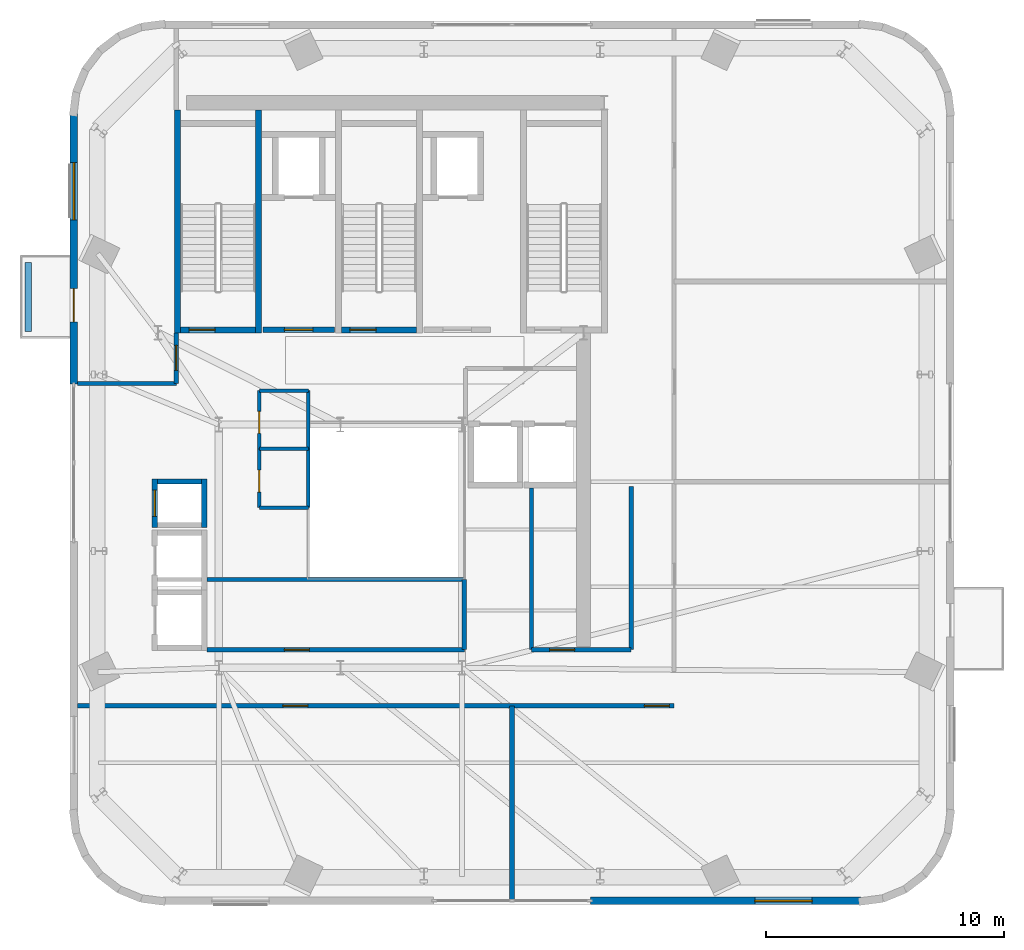
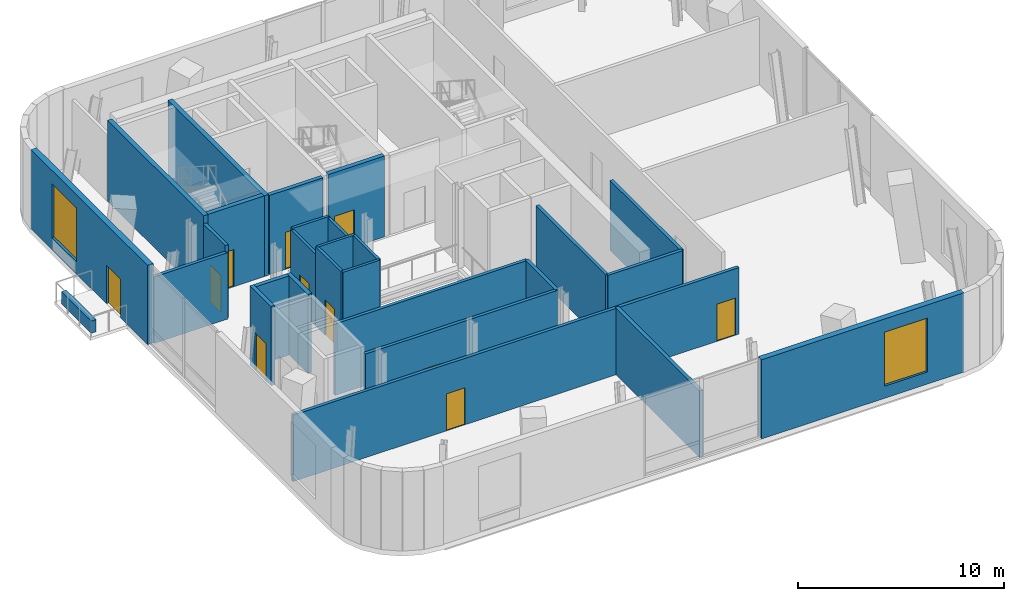
# One storey, part 6 of 10: 28 walls, 12 doors, 2 windows, 14 openings.
"""IFC4 building model written with IfcOpenShell, lengths in metres."""

from ifc_helpers import new_model, si_unit, direction, frame, frame_2d, origin, place, context, subcontext, project, spatial, rectangle, extrude, source, transform, mapped, material, layer, layer_set, type_object, element, fill, save


model = new_model("IFC4")

# Units and contexts
model_context = context("Model", 3, precision=1e-05, world=origin(), true_north=direction((0.0, 1.0)))
body_context = subcontext(model_context, "Body", "Model", "MODEL_VIEW")
ifc_project = project(units=[si_unit("LENGTHUNIT", "METRE"), si_unit("AREAUNIT", "SQUARE_METRE"), si_unit("VOLUMEUNIT", "CUBIC_METRE"), si_unit("PLANEANGLEUNIT", "RADIAN"), si_unit("MASSUNIT", "GRAM", prefix="KILO")], contexts=[model_context])

# Site, building, storey
site_placement = place(None, origin())
site = spatial("IfcSite", under=ifc_project, at=site_placement, CompositionType="ELEMENT")
building_placement = place(site_placement, origin())
building = spatial("IfcBuilding", under=site, at=building_placement, Name="Vardaveli Station Tower", CompositionType="ELEMENT")
storey_placement = place(building_placement, frame((0.0, 0.0, 291.14990234375)))
storey = spatial("IfcBuildingStorey", under=building, at=storey_placement, Name="L74", CompositionType="ELEMENT", Elevation=291.14990234375)

# Wall
ifc_material_1 = material(Name="Precast concrete C45/55", Category="concrete")
ifc_layer_1 = layer(ifc_material_1, 0.280029296875, Name="Precast concrete C45/55")
ifc_layer_set_1 = layer_set([ifc_layer_1], Name="Precast concrete C45/55")
wall_type_1 = type_object("IfcWallType", Name="WAL-PARAPET-280", PredefinedType="SOLIDWALL", material=ifc_layer_set_1)
shared_shape_1 = source(origin(), body_context, "Body", "SweptSolid", [
    extrude(rectangle(XDim=2.900146484375, YDim=0.280029296875, at=frame_2d((1.4501953125, 0.0))), origin(), (0.0, 0.0, 1.0), 0.72021484375),
])
wall_1_placement = place(storey_placement, frame((23.2099609375, 30.706298828125, 0.0), z_axis=(0.0, 0.0, 1.0), x_axis=(0.0, 1.0, 0.0)))
element("IfcWall", 1, at=wall_1_placement, inside=storey, type_object=wall_type_1, Name="Terrace Travertine Planter L74", PredefinedType="SOLIDWALL", context=body_context, shape_type="MappedRepresentation", body=[
    mapped(shared_shape_1, transform((0.0, 0.0, 0.0), scale=1.0)),
])

# Wall, opening, window
ifc_layer_2 = layer(ifc_material_1, 0.320068359375, Name="Precast concrete C45/55")
ifc_layer_set_2 = layer_set([ifc_layer_2], Name="Precast concrete C45/55")
wall_type_2 = type_object("IfcWallType", Name="WAL-EXT-STONE-320", PredefinedType="SOLIDWALL", material=ifc_layer_set_2)
shared_shape_2 = source(origin(), body_context, "Body", "SweptSolid", [
    extrude(rectangle(XDim=11.346923828125, YDim=0.320068359375, at=frame_2d((5.67333984375, 0.0))), origin(), (0.0, 0.0, 1.0), 4.7001953125),
])
wall_2_placement = place(storey_placement, frame((46.800048828125, 6.820068359375, 0.0), z_axis=(0.0, 0.0, 1.0), x_axis=(1.0, 0.0, 0.0)))
wall_2 = element("IfcWall", 2, at=wall_2_placement, inside=storey, type_object=wall_type_2, Name="EW-L74-S2", PredefinedType="SOLIDWALL", context=body_context, shape_type="MappedRepresentation", body=[
    mapped(shared_shape_2, transform((0.0, 0.0, 0.0), scale=1.0)),
])
shared_shape_3 = source(origin(), body_context, "Body", "SweptSolid", [
    extrude(rectangle(XDim=2.39990234375, YDim=3.199951171875, at=frame_2d((1.199951171875, 1.60009765625))), frame((0.0, 0.169921875, 0.0), z_axis=(0.0, -1.0, 0.0), x_axis=(1.0, 0.0, 0.0)), (0.0, 0.0, 1.0), 0.340087890625),
])
opening_1_placement = place(wall_2_placement, frame((6.892578125, 0.0, 0.719970703125)))
opening_1 = element("IfcOpeningElement", 3, at=opening_1_placement, cuts=wall_2, Name="Opening W-06", PredefinedType="OPENING", context=body_context, shape_type="MappedRepresentation", body=[
    mapped(shared_shape_3, transform((0.0, 0.0, 0.0), scale=1.0)),
])
ifc_material_2 = material(Name="Low-iron tempered belvedere glass", Category="glass")
window_type = type_object("IfcWindowType", Name="WIN-OBS-2400x3200", PartitioningType="SINGLE_PANEL", PredefinedType="WINDOW", material=ifc_material_2)
shared_shape_4 = source(origin(), body_context, "Body", "SweptSolid", [
    extrude(rectangle(XDim=2.39990234375, YDim=3.199951171875, at=frame_2d((1.199951171875, 1.60009765625))), frame((0.0, 0.030029296875, 0.0), z_axis=(0.0, -1.0, 0.0), x_axis=(1.0, 0.0, 0.0)), (0.0, 0.0, 1.0), 0.06005859375),
])
window_1_placement = place(opening_1_placement, origin())
window_1 = element("IfcWindow", 4, at=window_1_placement, inside=storey, type_object=window_type, Name="WN-L74-S2", OverallHeight=3.199951171875, OverallWidth=2.39990234375, PartitioningType="SINGLE_PANEL", PredefinedType="WINDOW", context=body_context, shape_type="MappedRepresentation", body=[
    mapped(shared_shape_4, transform((0.0, 0.0, 0.0), scale=1.0)),
])
fill(opening_1, window_1)

# Wall, openings, door, window
wall_3_placement = place(storey_placement, frame((25.1201171875, 39.846923828125, 0.0), z_axis=(0.0, 0.0, 1.0), x_axis=(0.0, -1.0, 0.0)))
wall_3 = element("IfcWall", 5, at=wall_3_placement, inside=storey, type_object=wall_type_2, Name="EW-L74-W1", PredefinedType="SOLIDWALL", context=body_context, shape_type="MappedRepresentation", body=[
    mapped(shared_shape_2, transform((0.0, 0.0, 0.0), scale=1.0)),
])
shared_shape_5 = source(origin(), body_context, "Body", "SweptSolid", [
    extrude(rectangle(XDim=1.39990234375, YDim=2.300048828125, at=frame_2d((0.699951171875, 1.14990234375))), frame((0.0, 0.169921875, 0.0), z_axis=(0.0, -1.0, 0.0), x_axis=(1.0, 0.0, 0.0)), (0.0, 0.0, 1.0), 0.340087890625),
])
opening_2_placement = place(wall_3_placement, frame((7.340576171875, 0.0, 0.0)))
opening_2 = element("IfcOpeningElement", 6, at=opening_2_placement, cuts=wall_3, Name="Opening D-09", PredefinedType="OPENING", context=body_context, shape_type="MappedRepresentation", body=[
    mapped(shared_shape_5, transform((0.0, 0.0, 0.0), scale=1.0)),
])
opening_3_placement = place(wall_3_placement, frame((2.054443359375, 0.0, 0.719970703125)))
opening_3 = element("IfcOpeningElement", 7, at=opening_3_placement, cuts=wall_3, Name="Opening W-06", PredefinedType="OPENING", context=body_context, shape_type="MappedRepresentation", body=[
    mapped(shared_shape_3, transform((0.0, 0.0, 0.0), scale=1.0)),
])
ifc_material_3 = material(Name="Thermally broken aluminium glass", Category="aluminium")
door_type_1 = type_object("IfcDoorType", Name="DR-LOG-1400x2300", OperationType="DOUBLE_DOOR_SLIDING", PredefinedType="DOOR", material=ifc_material_3)
shared_shape_6 = source(origin(), body_context, "Body", "SweptSolid", [
    extrude(rectangle(XDim=1.39990234375, YDim=2.300048828125, at=frame_2d((0.699951171875, 1.14990234375))), frame((0.0, 0.02490234375, 0.0), z_axis=(0.0, -1.0, 0.0), x_axis=(1.0, 0.0, 0.0)), (0.0, 0.0, 1.0), 0.050048828125),
])
door_1_placement = place(opening_2_placement, frame((1.39990234375, 0.0, 0.0), z_axis=(0.0, 0.0, 1.0), x_axis=(-1.0, 0.0, 0.0)))
door_1 = element("IfcDoor", 8, at=door_1_placement, inside=storey, type_object=door_type_1, Name="DLG-L74-W", OperationType="DOUBLE_DOOR_SLIDING", OverallHeight=2.300048828125, OverallWidth=1.39990234375, PredefinedType="DOOR", context=body_context, shape_type="MappedRepresentation", body=[
    mapped(shared_shape_6, transform((0.0, 0.0, 0.0), scale=1.0)),
])
fill(opening_2, door_1)
window_2_placement = place(opening_3_placement, origin())
window_2 = element("IfcWindow", 9, at=window_2_placement, inside=storey, type_object=window_type, Name="WN-L74-W1", OverallHeight=3.199951171875, OverallWidth=2.39990234375, PartitioningType="SINGLE_PANEL", PredefinedType="WINDOW", context=body_context, shape_type="MappedRepresentation", body=[
    mapped(shared_shape_4, transform((0.0, 0.0, 0.0), scale=1.0)),
])
fill(opening_3, window_2)

# Wall, opening, door
ifc_material_4 = material(Name="Concrete C40/50", Category="concrete")
ifc_layer_3 = layer(ifc_material_4, 0.25, Name="Concrete C40/50")
ifc_layer_set_3 = layer_set([ifc_layer_3], Name="Concrete C40/50")
wall_type_3 = type_object("IfcWallType", Name="WAL-SHAFT-250", PredefinedType="SOLIDWALL", material=ifc_layer_set_3)
shared_shape_7 = source(origin(), body_context, "Body", "SweptSolid", [
    extrude(rectangle(XDim=3.14990234375, YDim=0.25, at=frame_2d((1.574951171875, 0.0))), origin(), (0.0, 0.0, 1.0), 4.800048828125),
])
wall_4_placement = place(storey_placement, frame((29.60009765625, 30.77490234375, 0.0), z_axis=(0.0, 0.0, 1.0), x_axis=(1.0, 0.0, 0.0)))
wall_4 = element("IfcWall", 10, at=wall_4_placement, inside=storey, type_object=wall_type_3, Name="W-L74-ST-1S", PredefinedType="SOLIDWALL", context=body_context, shape_type="MappedRepresentation", body=[
    mapped(shared_shape_7, transform((0.0, 0.0, 0.0), scale=1.0)),
])
shared_shape_8 = source(origin(), body_context, "Body", "SweptSolid", [
    extrude(rectangle(XDim=1.10009765625, YDim=2.199951171875, at=frame_2d((0.550048828125, 1.10009765625))), frame((0.0, 0.135009765625, 0.0), z_axis=(0.0, -1.0, 0.0), x_axis=(1.0, 0.0, 0.0)), (0.0, 0.0, 1.0), 0.27001953125),
])
opening_4_placement = place(wall_4_placement, frame((0.35009765625, 0.0, 0.0)))
opening_4 = element("IfcOpeningElement", 11, at=opening_4_placement, cuts=wall_4, Name="Opening D-04", PredefinedType="OPENING", context=body_context, shape_type="MappedRepresentation", body=[
    mapped(shared_shape_8, transform((0.0, 0.0, 0.0), scale=1.0)),
])
ifc_material_5 = material(Name="Steel smokeproof fire doorset", Category="steel")
door_type_2 = type_object("IfcDoorType", Name="DR-ST-1100x2200", OperationType="NOTDEFINED", PredefinedType="DOOR", material=ifc_material_5)
shared_shape_9 = source(origin(), body_context, "Body", "SweptSolid", [
    extrude(rectangle(XDim=1.10009765625, YDim=2.199951171875, at=frame_2d((0.550048828125, 1.10009765625))), frame((0.0, 0.02490234375, 0.0), z_axis=(0.0, -1.0, 0.0), x_axis=(1.0, 0.0, 0.0)), (0.0, 0.0, 1.0), 0.050048828125),
])
door_2_placement = place(opening_4_placement, origin())
door_2 = element("IfcDoor", 12, at=door_2_placement, inside=storey, type_object=door_type_2, Name="DST-1-L74", OperationType="SINGLE_SWING_LEFT", OverallHeight=2.199951171875, OverallWidth=1.10009765625, PredefinedType="DOOR", context=body_context, shape_type="MappedRepresentation", body=[
    mapped(shared_shape_9, transform((0.0, 0.0, 0.0), scale=1.0)),
])
fill(opening_4, door_2)

wall_5_placement = place(storey_placement, frame((36.35009765625, 30.77490234375, 0.0), z_axis=(0.0, 0.0, 1.0), x_axis=(1.0, 0.0, 0.0)))
wall_5 = element("IfcWall", 13, at=wall_5_placement, inside=storey, type_object=wall_type_3, Name="W-L74-ST-2S", PredefinedType="SOLIDWALL", context=body_context, shape_type="MappedRepresentation", body=[
    mapped(shared_shape_7, transform((0.0, 0.0, 0.0), scale=1.0)),
])
opening_5_placement = place(wall_5_placement, frame((0.35009765625, 0.0, 0.0)))
opening_5 = element("IfcOpeningElement", 14, at=opening_5_placement, cuts=wall_5, Name="Opening D-04", PredefinedType="OPENING", context=body_context, shape_type="MappedRepresentation", body=[
    mapped(shared_shape_8, transform((0.0, 0.0, 0.0), scale=1.0)),
])
door_3_placement = place(opening_5_placement, origin())
door_3 = element("IfcDoor", 15, at=door_3_placement, inside=storey, type_object=door_type_2, Name="DST-2-L74", OperationType="SINGLE_SWING_LEFT", OverallHeight=2.199951171875, OverallWidth=1.10009765625, PredefinedType="DOOR", context=body_context, shape_type="MappedRepresentation", body=[
    mapped(shared_shape_9, transform((0.0, 0.0, 0.0), scale=1.0)),
])
fill(opening_5, door_3)

# Walls
shared_shape_10 = source(origin(), body_context, "Body", "SweptSolid", [
    extrude(rectangle(XDim=9.35009765625, YDim=0.25, at=frame_2d((4.675048828125, 0.0))), origin(), (0.0, 0.0, 1.0), 4.800048828125),
])
for number, where, z_axis, x_axis, name in (
    (16, (29.47509765625, 30.64990234375, 0.0), (0.0, 0.0, 1.0), (0.0, 1.0, 0.0), "W-L74-ST-1W"),
    (17, (32.875, 30.64990234375, 0.0), (0.0, 0.0, 1.0), (0.0, 1.0, 0.0), "W-L74-ST-1E"),
):
    element("IfcWall", number, at=place(storey_placement, frame(where, z_axis=z_axis, x_axis=x_axis)), inside=storey, type_object=wall_type_3, Name=name, PredefinedType="SOLIDWALL", context=body_context, shape_type="MappedRepresentation", body=[
        mapped(shared_shape_10, transform((0.0, 0.0, 0.0), scale=1.0)),
    ])

# Wall, opening, door
ifc_layer_4 = layer(ifc_material_4, 0.219970703125, Name="Concrete C40/50")
ifc_layer_set_4 = layer_set([ifc_layer_4], Name="Concrete C40/50")
wall_type_4 = type_object("IfcWallType", Name="WAL-FFLOBBY-220", PredefinedType="SOLIDWALL", material=ifc_layer_set_4)
shared_shape_11 = source(origin(), body_context, "Body", "SweptSolid", [
    extrude(rectangle(XDim=3.0, YDim=0.219970703125, at=frame_2d((1.5, 0.0))), origin(), (0.0, 0.0, 1.0), 4.7001953125),
])
wall_6_placement = place(storey_placement, frame((33.050048828125, 30.780029296875, 0.0), z_axis=(0.0, 0.0, 1.0), x_axis=(1.0, 0.0, 0.0)))
wall_6 = element("IfcWall", 18, at=wall_6_placement, inside=storey, type_object=wall_type_4, Name="W-L74-FFL1S", PredefinedType="SOLIDWALL", context=body_context, shape_type="MappedRepresentation", body=[
    mapped(shared_shape_11, transform((0.0, 0.0, 0.0), scale=1.0)),
])
shared_shape_12 = source(origin(), body_context, "Body", "SweptSolid", [
    extrude(rectangle(XDim=1.199951171875, YDim=2.199951171875, at=frame_2d((0.60009765625, 1.10009765625))), frame((0.0, 0.1201171875, 0.0), z_axis=(0.0, -1.0, 0.0), x_axis=(1.0, 0.0, 0.0)), (0.0, 0.0, 1.0), 0.239990234375),
])
opening_6_placement = place(wall_6_placement, frame((0.89990234375, 0.0, 0.0)))
opening_6 = element("IfcOpeningElement", 19, at=opening_6_placement, cuts=wall_6, Name="Opening D-03", PredefinedType="OPENING", context=body_context, shape_type="MappedRepresentation", body=[
    mapped(shared_shape_12, transform((0.0, 0.0, 0.0), scale=1.0)),
])
door_type_3 = type_object("IfcDoorType", Name="DR-FFL-1200x2200", OperationType="NOTDEFINED", PredefinedType="DOOR", material=ifc_material_5)
shared_shape_13 = source(origin(), body_context, "Body", "SweptSolid", [
    extrude(rectangle(XDim=1.199951171875, YDim=2.199951171875, at=frame_2d((0.60009765625, 1.10009765625))), frame((0.0, 0.02490234375, 0.0), z_axis=(0.0, -1.0, 0.0), x_axis=(1.0, 0.0, 0.0)), (0.0, 0.0, 1.0), 0.050048828125),
])
door_4_placement = place(opening_6_placement, origin())
door_4 = element("IfcDoor", 20, at=door_4_placement, inside=storey, type_object=door_type_3, Name="DFFL1-L74", OperationType="SINGLE_SWING_LEFT", OverallHeight=2.199951171875, OverallWidth=1.199951171875, PredefinedType="DOOR", context=body_context, shape_type="MappedRepresentation", body=[
    mapped(shared_shape_13, transform((0.0, 0.0, 0.0), scale=1.0)),
])
fill(opening_6, door_4)

# Wall
shared_shape_14 = source(origin(), body_context, "Body", "SweptSolid", [
    extrude(rectangle(XDim=1.85009765625, YDim=0.219970703125, at=frame_2d((0.925048828125, 0.0))), origin(), (0.0, 0.0, 1.0), 4.7001953125),
])
wall_7_placement = place(storey_placement, frame((28.625, 24.409912109375, 0.0), z_axis=(0.0, 0.0, 1.0), x_axis=(1.0, 0.0, 0.0)))
element("IfcWall", 21, at=wall_7_placement, inside=storey, type_object=wall_type_4, Name="SHW-CRN-01-L74-N", PredefinedType="SOLIDWALL", context=body_context, shape_type="MappedRepresentation", body=[
    mapped(shared_shape_14, transform((0.0, 0.0, 0.0), scale=1.0)),
])

# Wall, opening, door
shared_shape_15 = source(origin(), body_context, "Body", "SweptSolid", [
    extrude(rectangle(XDim=2.0400390625, YDim=0.219970703125, at=frame_2d((1.02001953125, 0.0))), origin(), (0.0, 0.0, 1.0), 4.7001953125),
])
wall_8_placement = place(storey_placement, frame((28.514892578125, 22.47998046875, 0.0), z_axis=(0.0, 0.0, 1.0), x_axis=(0.0, 1.0, 0.0)))
wall_8 = element("IfcWall", 22, at=wall_8_placement, inside=storey, type_object=wall_type_4, Name="SHW-CRN-01-L74-W", PredefinedType="SOLIDWALL", context=body_context, shape_type="MappedRepresentation", body=[
    mapped(shared_shape_15, transform((0.0, 0.0, 0.0), scale=1.0)),
])
shared_shape_16 = source(origin(), body_context, "Body", "SweptSolid", [
    extrude(rectangle(XDim=1.10009765625, YDim=2.199951171875, at=frame_2d((0.550048828125, 1.10009765625))), frame((0.0, 0.1201171875, 0.0), z_axis=(0.0, -1.0, 0.0), x_axis=(1.0, 0.0, 0.0)), (0.0, 0.0, 1.0), 0.239990234375),
])
opening_7_placement = place(wall_8_placement, frame((0.469970703125, 0.0, 0.0)))
opening_7 = element("IfcOpeningElement", 23, at=opening_7_placement, cuts=wall_8, Name="Opening LD-01", PredefinedType="OPENING", context=body_context, shape_type="MappedRepresentation", body=[
    mapped(shared_shape_16, transform((0.0, 0.0, 0.0), scale=1.0)),
])
ifc_material_6 = material(Name="Brushed stainless steel", Category="steel")
door_type_4 = type_object("IfcDoorType", Name="DR-LD-1100x2200", OperationType="DOUBLE_DOOR_SLIDING", PredefinedType="DOOR", material=ifc_material_6)
door_5_placement = place(opening_7_placement, origin())
door_5 = element("IfcDoor", 24, at=door_5_placement, inside=storey, type_object=door_type_4, Name="LD-CRN-01-L74", OperationType="DOUBLE_DOOR_SLIDING", OverallHeight=2.199951171875, OverallWidth=1.10009765625, PredefinedType="DOOR", context=body_context, shape_type="MappedRepresentation", body=[
    mapped(shared_shape_9, transform((0.0, 0.0, 0.0), scale=1.0)),
])
fill(opening_7, door_5)

# Wall
wall_9_placement = place(storey_placement, frame((30.5849609375, 22.47998046875, 0.0), z_axis=(0.0, 0.0, 1.0), x_axis=(0.0, 1.0, 0.0)))
element("IfcWall", 25, at=wall_9_placement, inside=storey, type_object=wall_type_4, Name="SHW-CRN-01-L74-E", PredefinedType="SOLIDWALL", context=body_context, shape_type="MappedRepresentation", body=[
    mapped(shared_shape_15, transform((0.0, 0.0, 0.0), scale=1.0)),
])

# Wall, opening, door
ifc_material_7 = material(Name="Fire-rated gypsum stud partition")
ifc_layer_5 = layer(ifc_material_7, 0.179931640625, Name="Fire-rated gypsum stud partition")
ifc_layer_set_5 = layer_set([ifc_layer_5], Name="Fire-rated gypsum stud partition")
wall_type_5 = type_object("IfcWallType", Name="WAL-CORR-180", PredefinedType="PARTITIONING", material=ifc_layer_set_5)
shared_shape_17 = source(origin(), body_context, "Body", "SweptSolid", [
    extrude(rectangle(XDim=2.1298828125, YDim=0.179931640625, at=frame_2d((1.06494140625, 0.0))), origin(), (0.0, 0.0, 1.0), 4.33203125),
])
wall_10_placement = place(storey_placement, frame((29.419921875, 28.52001953125, 0.0), z_axis=(0.0, 0.0, 1.0), x_axis=(0.0, 1.0, 0.0)))
wall_10 = element("IfcWall", 26, at=wall_10_placement, inside=storey, type_object=wall_type_5, Name="W-L74-OBNW-E-P1", PredefinedType="PARTITIONING", context=body_context, shape_type="MappedRepresentation", body=[
    mapped(shared_shape_17, transform((0.0, 0.0, 0.0), scale=1.0)),
])
shared_shape_18 = source(origin(), body_context, "Body", "SweptSolid", [
    extrude(rectangle(XDim=1.050048828125, YDim=2.199951171875, at=frame_2d((0.52490234375, 1.10009765625))), frame((0.0, 0.10009765625, 0.0), z_axis=(0.0, -1.0, 0.0), x_axis=(1.0, 0.0, 0.0)), (0.0, 0.0, 1.0), 0.199951171875),
])
opening_8_placement = place(wall_10_placement, frame((0.550048828125, 0.0, 0.0)))
opening_8 = element("IfcOpeningElement", 27, at=opening_8_placement, cuts=wall_10, Name="Opening D-05", PredefinedType="OPENING", context=body_context, shape_type="MappedRepresentation", body=[
    mapped(shared_shape_18, transform((0.0, 0.0, 0.0), scale=1.0)),
])
ifc_material_8 = material(Name="Walnut veneer acoustic fire door")
door_type_5 = type_object("IfcDoorType", Name="DR-SUITE-1050x2200", OperationType="NOTDEFINED", PredefinedType="DOOR", material=ifc_material_8)
shared_shape_19 = source(origin(), body_context, "Body", "SweptSolid", [
    extrude(rectangle(XDim=1.050048828125, YDim=2.199951171875, at=frame_2d((0.52490234375, 1.10009765625))), frame((0.0, 0.02490234375, 0.0), z_axis=(0.0, -1.0, 0.0), x_axis=(1.0, 0.0, 0.0)), (0.0, 0.0, 1.0), 0.050048828125),
])
door_6_placement = place(opening_8_placement, origin())
door_6 = element("IfcDoor", 28, at=door_6_placement, inside=storey, type_object=door_type_5, Name="D-L74-OBNW", OperationType="SINGLE_SWING_LEFT", OverallHeight=2.199951171875, OverallWidth=1.050048828125, PredefinedType="DOOR", context=body_context, shape_type="MappedRepresentation", body=[
    mapped(shared_shape_19, transform((0.0, 0.0, 0.0), scale=1.0)),
])
fill(opening_8, door_6)

shared_shape_20 = source(origin(), body_context, "Body", "SweptSolid", [
    extrude(rectangle(XDim=10.802978515625, YDim=0.179931640625, at=frame_2d((5.4013671875, 0.0))), origin(), (0.0, 0.0, 1.0), 4.2421875),
])
wall_11_placement = place(storey_placement, frame((30.697021484375, 17.360107421875, 0.0), z_axis=(0.0, 0.0, 1.0), x_axis=(1.0, 0.0, 0.0)))
wall_11 = element("IfcWall", 29, at=wall_11_placement, inside=storey, type_object=wall_type_5, Name="W-L74-OBSA-S", PredefinedType="PARTITIONING", context=body_context, shape_type="MappedRepresentation", body=[
    mapped(shared_shape_20, transform((0.0, 0.0, 0.0), scale=1.0)),
])
opening_9_placement = place(wall_11_placement, frame((3.2529296875, 0.0, 0.0)))
opening_9 = element("IfcOpeningElement", 30, at=opening_9_placement, cuts=wall_11, Name="Opening D-05", PredefinedType="OPENING", context=body_context, shape_type="MappedRepresentation", body=[
    mapped(shared_shape_18, transform((0.0, 0.0, 0.0), scale=1.0)),
])
door_7_placement = place(opening_9_placement, origin())
door_7 = element("IfcDoor", 31, at=door_7_placement, inside=storey, type_object=door_type_5, Name="D-L74-OBSA", OperationType="SINGLE_SWING_LEFT", OverallHeight=2.199951171875, OverallWidth=1.050048828125, PredefinedType="DOOR", context=body_context, shape_type="MappedRepresentation", body=[
    mapped(shared_shape_19, transform((0.0, 0.0, 0.0), scale=1.0)),
])
fill(opening_9, door_7)

# Wall
wall_12_placement = place(storey_placement, frame((30.697021484375, 20.300048828125, 0.0), z_axis=(0.0, 0.0, 1.0), x_axis=(1.0, 0.0, 0.0)))
element("IfcWall", 32, at=wall_12_placement, inside=storey, type_object=wall_type_5, Name="W-L74-OBSA-N-P2", PredefinedType="PARTITIONING", context=body_context, shape_type="MappedRepresentation", body=[
    mapped(shared_shape_20, transform((0.0, 0.0, 0.0), scale=1.0)),
])

# Wall, opening, door
shared_shape_21 = source(origin(), body_context, "Body", "SweptSolid", [
    extrude(rectangle(XDim=4.179931640625, YDim=0.179931640625, at=frame_2d((2.08984375, 0.0))), origin(), (0.0, 0.0, 1.0), 4.14208984375),
])
wall_13_placement = place(storey_placement, frame((44.320068359375, 17.360107421875, 0.0), z_axis=(0.0, 0.0, 1.0), x_axis=(1.0, 0.0, 0.0)))
wall_13 = element("IfcWall", 33, at=wall_13_placement, inside=storey, type_object=wall_type_5, Name="W-L74-OBEA-S", PredefinedType="PARTITIONING", context=body_context, shape_type="MappedRepresentation", body=[
    mapped(shared_shape_21, transform((0.0, 0.0, 0.0), scale=1.0)),
])
opening_10_placement = place(wall_13_placement, frame((0.760009765625, 0.0, 0.0)))
opening_10 = element("IfcOpeningElement", 34, at=opening_10_placement, cuts=wall_13, Name="Opening D-05", PredefinedType="OPENING", context=body_context, shape_type="MappedRepresentation", body=[
    mapped(shared_shape_18, transform((0.0, 0.0, 0.0), scale=1.0)),
])
door_8_placement = place(opening_10_placement, origin())
door_8 = element("IfcDoor", 35, at=door_8_placement, inside=storey, type_object=door_type_5, Name="D-L74-OBEA", OperationType="SINGLE_SWING_LEFT", OverallHeight=2.199951171875, OverallWidth=1.050048828125, PredefinedType="DOOR", context=body_context, shape_type="MappedRepresentation", body=[
    mapped(shared_shape_19, transform((0.0, 0.0, 0.0), scale=1.0)),
])
fill(opening_10, door_8)

ifc_material_9 = material(Name="Moisture-resistant stud partition")
ifc_layer_6 = layer(ifc_material_9, 0.14990234375, Name="Moisture-resistant stud partition")
ifc_layer_set_6 = layer_set([ifc_layer_6], Name="Moisture-resistant stud partition")
wall_type_6 = type_object("IfcWallType", Name="WAL-WET-150", PredefinedType="PARTITIONING", material=ifc_layer_set_6)
shared_shape_22 = source(origin(), body_context, "Body", "SweptSolid", [
    extrude(rectangle(XDim=2.4599609375, YDim=0.14990234375, at=frame_2d((1.22998046875, 0.0))), origin(), (0.0, 0.0, 1.0), 4.7001953125),
])
wall_14_placement = place(storey_placement, frame((32.89990234375, 23.320068359375, 0.0), z_axis=(0.0, 0.0, 1.0), x_axis=(0.0, 1.0, 0.0)))
wall_14 = element("IfcWall", 36, at=wall_14_placement, inside=storey, type_object=wall_type_6, Name="W-L74-WCF-W", PredefinedType="PARTITIONING", context=body_context, shape_type="MappedRepresentation", body=[
    mapped(shared_shape_22, transform((0.0, 0.0, 0.0), scale=1.0)),
])
shared_shape_23 = source(origin(), body_context, "Body", "SweptSolid", [
    extrude(rectangle(XDim=0.919921875, YDim=2.10009765625, at=frame_2d((0.4599609375, 1.050048828125))), frame((0.0, 0.0849609375, 0.0), z_axis=(0.0, -1.0, 0.0), x_axis=(1.0, 0.0, 0.0)), (0.0, 0.0, 1.0), 0.169921875),
])
opening_11_placement = place(wall_14_placement, frame((0.64990234375, 0.0, 0.0)))
opening_11 = element("IfcOpeningElement", 37, at=opening_11_placement, cuts=wall_14, Name="Opening D-07", PredefinedType="OPENING", context=body_context, shape_type="MappedRepresentation", body=[
    mapped(shared_shape_23, transform((0.0, 0.0, 0.0), scale=1.0)),
])
ifc_material_10 = material(Name="Moisture-resistant hardwood door", Category="wood")
door_type_6 = type_object("IfcDoorType", Name="DR-WC-920x2100", OperationType="NOTDEFINED", PredefinedType="DOOR", material=ifc_material_10)
shared_shape_24 = source(origin(), body_context, "Body", "SweptSolid", [
    extrude(rectangle(XDim=0.919921875, YDim=2.10009765625, at=frame_2d((0.4599609375, 1.050048828125))), frame((0.0, 0.02490234375, 0.0), z_axis=(0.0, -1.0, 0.0), x_axis=(1.0, 0.0, 0.0)), (0.0, 0.0, 1.0), 0.050048828125),
])
door_9_placement = place(opening_11_placement, origin())
door_9 = element("IfcDoor", 38, at=door_9_placement, inside=storey, type_object=door_type_6, Name="D-L74-WCF", OperationType="SINGLE_SWING_RIGHT", OverallHeight=2.10009765625, OverallWidth=0.919921875, PredefinedType="DOOR", context=body_context, shape_type="MappedRepresentation", body=[
    mapped(shared_shape_24, transform((0.0, 0.0, 0.0), scale=1.0)),
])
fill(opening_11, door_9)

# Wall
wall_15_placement = place(storey_placement, frame((34.9599609375, 23.320068359375, 0.0), z_axis=(0.0, 0.0, 1.0), x_axis=(0.0, 1.0, 0.0)))
element("IfcWall", 39, at=wall_15_placement, inside=storey, type_object=wall_type_6, Name="W-L74-WCF-E", PredefinedType="PARTITIONING", context=body_context, shape_type="MappedRepresentation", body=[
    mapped(shared_shape_22, transform((0.0, 0.0, 0.0), scale=1.0)),
])

# Wall, opening, door
shared_shape_25 = source(origin(), body_context, "Body", "SweptSolid", [
    extrude(rectangle(XDim=2.43994140625, YDim=0.14990234375, at=frame_2d((1.219970703125, 0.0))), origin(), (0.0, 0.0, 1.0), 4.2421875),
])
wall_16_placement = place(storey_placement, frame((32.89990234375, 25.780029296875, 0.0), z_axis=(0.0, 0.0, 1.0), x_axis=(0.0, 1.0, 0.0)))
wall_16 = element("IfcWall", 40, at=wall_16_placement, inside=storey, type_object=wall_type_6, Name="W-L74-WCM-W", PredefinedType="PARTITIONING", context=body_context, shape_type="MappedRepresentation", body=[
    mapped(shared_shape_25, transform((0.0, 0.0, 0.0), scale=1.0)),
])
opening_12_placement = place(wall_16_placement, frame((0.64990234375, 0.0, 0.0)))
opening_12 = element("IfcOpeningElement", 41, at=opening_12_placement, cuts=wall_16, Name="Opening D-07", PredefinedType="OPENING", context=body_context, shape_type="MappedRepresentation", body=[
    mapped(shared_shape_23, transform((0.0, 0.0, 0.0), scale=1.0)),
])
door_10_placement = place(opening_12_placement, origin())
door_10 = element("IfcDoor", 42, at=door_10_placement, inside=storey, type_object=door_type_6, Name="D-L74-WCM", OperationType="SINGLE_SWING_LEFT", OverallHeight=2.10009765625, OverallWidth=0.919921875, PredefinedType="DOOR", context=body_context, shape_type="MappedRepresentation", body=[
    mapped(shared_shape_24, transform((0.0, 0.0, 0.0), scale=1.0)),
])
fill(opening_12, door_10)

# Walls
wall_17_placement = place(storey_placement, frame((34.9599609375, 25.780029296875, 0.0), z_axis=(0.0, 0.0, 1.0), x_axis=(0.0, 1.0, 0.0)))
element("IfcWall", 43, at=wall_17_placement, inside=storey, type_object=wall_type_6, Name="W-L74-WCM-E", PredefinedType="PARTITIONING", context=body_context, shape_type="MappedRepresentation", body=[
    mapped(shared_shape_25, transform((0.0, 0.0, 0.0), scale=1.0)),
])
shared_shape_26 = source(origin(), body_context, "Body", "SweptSolid", [
    extrude(rectangle(XDim=6.787841796875, YDim=0.179931640625, at=frame_2d((3.39404296875, 0.0))), origin(), (0.0, 0.0, 1.0), 4.14208984375),
])
wall_18_placement = place(storey_placement, frame((44.320068359375, 17.360107421875, 0.0), z_axis=(0.0, 0.0, 1.0), x_axis=(0.0, 1.0, 0.0)))
element("IfcWall", 44, at=wall_18_placement, inside=storey, type_object=wall_type_5, Name="W-L74-OBEA-W", PredefinedType="PARTITIONING", context=body_context, shape_type="MappedRepresentation", body=[
    mapped(shared_shape_26, transform((0.0, 0.0, 0.0), scale=1.0)),
])
shared_shape_27 = source(origin(), body_context, "Body", "SweptSolid", [
    extrude(rectangle(XDim=6.83984375, YDim=0.179931640625, at=frame_2d((3.419921875, 0.0))), origin(), (0.0, 0.0, 1.0), 4.14208984375),
])
wall_19_placement = place(storey_placement, frame((48.5, 17.360107421875, 0.0), z_axis=(0.0, 0.0, 1.0), x_axis=(0.0, 1.0, 0.0)))
element("IfcWall", 45, at=wall_19_placement, inside=storey, type_object=wall_type_5, Name="W-L74-OBEA-E", PredefinedType="PARTITIONING", context=body_context, shape_type="MappedRepresentation", body=[
    mapped(shared_shape_27, transform((0.0, 0.0, 0.0), scale=1.0)),
])
shared_shape_28 = source(origin(), body_context, "Body", "SweptSolid", [
    extrude(rectangle(XDim=2.06005859375, YDim=0.14990234375, at=frame_2d((1.030029296875, 0.0))), origin(), (0.0, 0.0, 1.0), 4.7001953125),
])
for number, where, z_axis, x_axis, name in (
    (46, (32.89990234375, 25.780029296875, 0.0), (0.0, 0.0, 1.0), (1.0, 0.0, 0.0), "W-L74-WCM-S"),
    (47, (32.89990234375, 23.320068359375, 0.0), (0.0, 0.0, 1.0), (1.0, 0.0, 0.0), "W-L74-WCF-S"),
):
    element("IfcWall", number, at=place(storey_placement, frame(where, z_axis=z_axis, x_axis=x_axis)), inside=storey, type_object=wall_type_6, Name=name, PredefinedType="PARTITIONING", context=body_context, shape_type="MappedRepresentation", body=[
        mapped(shared_shape_28, transform((0.0, 0.0, 0.0), scale=1.0)),
    ])
shared_shape_29 = source(origin(), body_context, "Body", "SweptSolid", [
    extrude(rectangle(XDim=2.06005859375, YDim=0.14990234375, at=frame_2d((1.030029296875, 0.0))), origin(), (0.0, 0.0, 1.0), 4.33203125),
])
wall_20_placement = place(storey_placement, frame((32.89990234375, 28.219970703125, 0.0), z_axis=(0.0, 0.0, 1.0), x_axis=(1.0, 0.0, 0.0)))
element("IfcWall", 48, at=wall_20_placement, inside=storey, type_object=wall_type_6, Name="W-L74-WCM-N", PredefinedType="PARTITIONING", context=body_context, shape_type="MappedRepresentation", body=[
    mapped(shared_shape_29, transform((0.0, 0.0, 0.0), scale=1.0)),
])

# Wall, openings, doors
shared_shape_30 = source(origin(), body_context, "Body", "SweptSolid", [
    extrude(rectangle(XDim=25.01806640625, YDim=0.179931640625, at=frame_2d((12.509033203125, 0.0))), origin(), (0.0, 0.0, 1.0), 3.942138671875),
])
wall_21_placement = place(storey_placement, frame((25.281982421875, 15.0, 0.0), z_axis=(0.0, 0.0, 1.0), x_axis=(1.0, 0.0, 0.0)))
wall_21 = element("IfcWall", 49, at=wall_21_placement, inside=storey, type_object=wall_type_5, Name="W-L74-CS", PredefinedType="PARTITIONING", context=body_context, shape_type="MappedRepresentation", body=[
    mapped(shared_shape_30, transform((0.0, 0.0, 0.0), scale=1.0)),
])
opening_13_placement = place(wall_21_placement, frame((8.60302734375, 0.0, 0.0)))
opening_13 = element("IfcOpeningElement", 50, at=opening_13_placement, cuts=wall_21, Name="Opening D-05", PredefinedType="OPENING", context=body_context, shape_type="MappedRepresentation", body=[
    mapped(shared_shape_18, transform((0.0, 0.0, 0.0), scale=1.0)),
])
opening_14_placement = place(wall_21_placement, frame((23.76806640625, 0.0, 0.0)))
opening_14 = element("IfcOpeningElement", 51, at=opening_14_placement, cuts=wall_21, Name="Opening D-05", PredefinedType="OPENING", context=body_context, shape_type="MappedRepresentation", body=[
    mapped(shared_shape_18, transform((0.0, 0.0, 0.0), scale=1.0)),
])
door_11_placement = place(opening_13_placement, origin())
door_11 = element("IfcDoor", 52, at=door_11_placement, inside=storey, type_object=door_type_5, Name="D-L74-OB1", OperationType="SINGLE_SWING_RIGHT", OverallHeight=2.199951171875, OverallWidth=1.050048828125, PredefinedType="DOOR", context=body_context, shape_type="MappedRepresentation", body=[
    mapped(shared_shape_19, transform((0.0, 0.0, 0.0), scale=1.0)),
])
fill(opening_13, door_11)
door_12_placement = place(opening_14_placement, origin())
door_12 = element("IfcDoor", 53, at=door_12_placement, inside=storey, type_object=door_type_5, Name="D-L74-OB2", OperationType="SINGLE_SWING_LEFT", OverallHeight=2.199951171875, OverallWidth=1.050048828125, PredefinedType="DOOR", context=body_context, shape_type="MappedRepresentation", body=[
    mapped(shared_shape_19, transform((0.0, 0.0, 0.0), scale=1.0)),
])
fill(opening_14, door_12)

# Walls
ifc_material_11 = material(Name="Acoustic twin-stud gypsum partition")
ifc_layer_7 = layer(ifc_material_11, 0.199951171875, Name="Acoustic twin-stud gypsum partition")
ifc_layer_set_7 = layer_set([ifc_layer_7], Name="Acoustic twin-stud gypsum partition")
wall_type_7 = type_object("IfcWallType", Name="WAL-PARTY-200", PredefinedType="PARTITIONING", material=ifc_layer_set_7)
shared_shape_31 = source(origin(), body_context, "Body", "SweptSolid", [
    extrude(rectangle(XDim=8.18994140625, YDim=0.199951171875, at=frame_2d((4.094970703125, 0.0))), origin(), (0.0, 0.0, 1.0), 3.942138671875),
])
wall_22_placement = place(storey_placement, frame((43.5, 6.81005859375, 0.0), z_axis=(0.0, 0.0, 1.0), x_axis=(0.0, 1.0, 0.0)))
element("IfcWall", 54, at=wall_22_placement, inside=storey, type_object=wall_type_7, Name="W-L74-SM1", PredefinedType="PARTITIONING", context=body_context, shape_type="MappedRepresentation", body=[
    mapped(shared_shape_31, transform((0.0, 0.0, 0.0), scale=1.0)),
])
shared_shape_32 = source(origin(), body_context, "Body", "SweptSolid", [
    extrude(rectangle(XDim=4.137939453125, YDim=0.179931640625, at=frame_2d((2.06884765625, 0.0))), origin(), (0.0, 0.0, 1.0), 3.942138671875),
])
wall_23_placement = place(storey_placement, frame((25.281982421875, 28.52001953125, 0.0), z_axis=(0.0, 0.0, 1.0), x_axis=(1.0, 0.0, 0.0)))
element("IfcWall", 55, at=wall_23_placement, inside=storey, type_object=wall_type_5, Name="W-L74-OBNW-S", PredefinedType="PARTITIONING", context=body_context, shape_type="MappedRepresentation", body=[
    mapped(shared_shape_32, transform((0.0, 0.0, 0.0), scale=1.0)),
])
shared_shape_33 = source(origin(), body_context, "Body", "SweptSolid", [
    extrude(rectangle(XDim=2.93994140625, YDim=0.179931640625, at=frame_2d((1.469970703125, 0.0))), origin(), (0.0, 0.0, 1.0), 4.2421875),
])
wall_24_placement = place(storey_placement, frame((41.5, 17.360107421875, 0.0), z_axis=(0.0, 0.0, 1.0), x_axis=(0.0, 1.0, 0.0)))
element("IfcWall", 56, at=wall_24_placement, inside=storey, type_object=wall_type_5, Name="W-L74-OBSA-E", PredefinedType="PARTITIONING", context=body_context, shape_type="MappedRepresentation", body=[
    mapped(shared_shape_33, transform((0.0, 0.0, 0.0), scale=1.0)),
])

save(model, "model.ifc")
